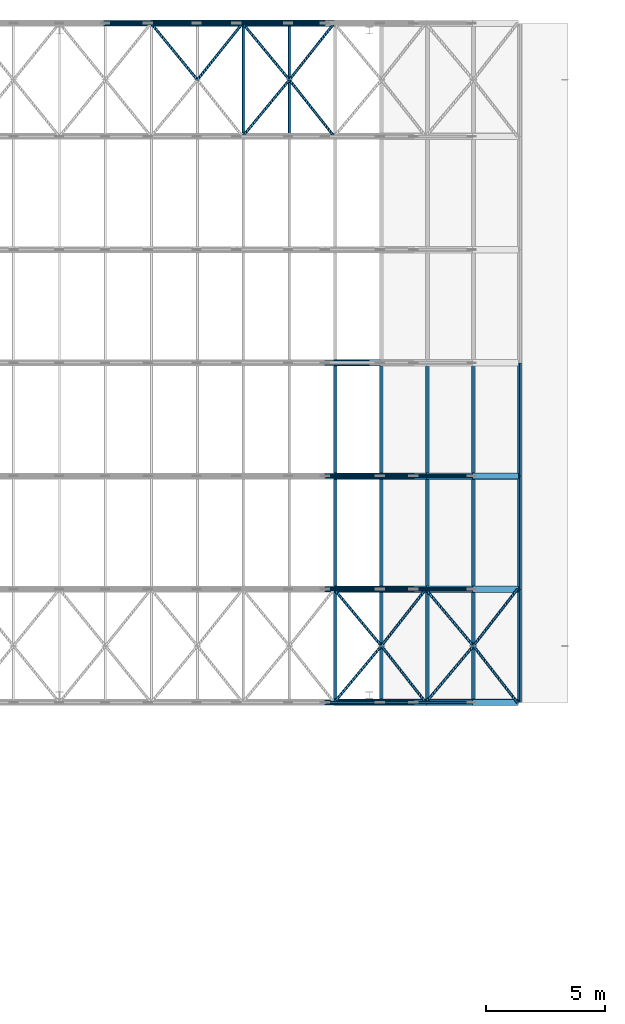
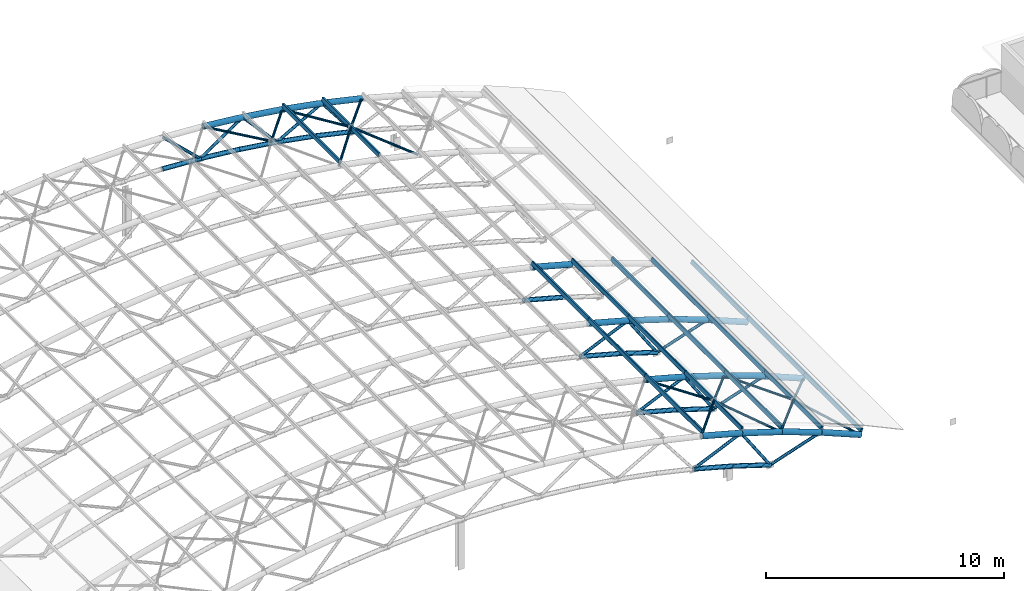
# One storey, part 7 of 22: 74 members.
"""IFC4 building model written with IfcOpenShell, lengths in metres."""

from ifc_helpers import new_model, si_unit, direction, frame, origin, origin_2d, place, context, subcontext, project, spatial, hollow_rectangle, hollow_circle, extrude, material, material_profile, profile_set, type_object, element, save


model = new_model("IFC4")

# Units and contexts
model_context = context("Model", 3, precision=1e-05, world=origin(), true_north=direction((0.0, 1.0)))
body_context = subcontext(model_context, "Body", "Model", "MODEL_VIEW")
ifc_project = project(units=[si_unit("LENGTHUNIT", "METRE"), si_unit("AREAUNIT", "SQUARE_METRE"), si_unit("VOLUMEUNIT", "CUBIC_METRE"), si_unit("PLANEANGLEUNIT", "RADIAN"), si_unit("MASSUNIT", "GRAM", prefix="KILO")], contexts=[model_context])

# Site, building, storey
site_placement = place(None, origin())
site = spatial("IfcSite", under=ifc_project, at=site_placement, CompositionType="ELEMENT")
building_placement = place(site_placement, origin())
building = spatial("IfcBuilding", under=site, at=building_placement, Name="Elbe Cascade School", CompositionType="ELEMENT")
storey_placement = place(building_placement, frame((0.0, 0.0, 18.89990234375)))
storey = spatial("IfcBuildingStorey", under=building, at=storey_placement, Name="R05", CompositionType="ELEMENT", Elevation=18.89990234375)

# Members
ifc_material_1 = material(Name="Steel S355J2H", Category="steel")
ifc_material_profile_1 = material_profile(ifc_material_1, hollow_circle(Radius=0.109619140625, WallThickness=0.012451171875, at=origin_2d()), Name="CHS 219.1x12.5")
ifc_profile_set_1 = profile_set([ifc_material_profile_1], Name="Steel S355J2H")
member_type_1 = type_object("IfcMemberType", Name="Hall rib bottom chord CHS 219.1x12.5", PredefinedType="CHORD", material=ifc_profile_set_1)
member_1_placement = place(storey_placement, frame((45.142822265625, 41.0, 1.329833984375), z_axis=(0.965329694666, 0.0, -0.26103367713), x_axis=(0.0, 1.0, 0.0)))
element("IfcMember", 1, at=member_1_placement, inside=storey, type_object=member_type_1, Name="Hall rib bottom chord CHS 219.1x12.5 M3", PredefinedType="CHORD", context=body_context, shape_type="SweptSolid", body=[
    extrude(hollow_circle(Radius=0.109619140625, WallThickness=0.012451171875, at=origin_2d()), origin(), (0.0, 0.0, 1.0), 1.923828125),
])
member_2_placement = place(storey_placement, frame((47.0, 41.0, 0.82763671875), z_axis=(0.953554243511, 0.0, -0.301221354957), x_axis=(0.0, 1.0, 0.0)))
element("IfcMember", 2, at=member_2_placement, inside=storey, type_object=member_type_1, Name="Hall rib bottom chord CHS 219.1x12.5 M3", PredefinedType="CHORD", context=body_context, shape_type="SweptSolid", body=[
    extrude(hollow_circle(Radius=0.109619140625, WallThickness=0.012451171875, at=origin_2d()), origin(), (0.0, 0.0, 1.0), 1.94775390625),
])
member_3_placement = place(storey_placement, frame((45.142822265625, 45.75, 1.329833984375), z_axis=(0.965329694666, 0.0, -0.26103367713), x_axis=(0.0, 1.0, 0.0)))
element("IfcMember", 3, at=member_3_placement, inside=storey, type_object=member_type_1, Name="Hall rib bottom chord CHS 219.1x12.5 M3", PredefinedType="CHORD", context=body_context, shape_type="SweptSolid", body=[
    extrude(hollow_circle(Radius=0.109619140625, WallThickness=0.012451171875, at=origin_2d()), origin(), (0.0, 0.0, 1.0), 1.923828125),
])
member_4_placement = place(storey_placement, frame((47.0, 45.75, 0.82763671875), z_axis=(0.953554243511, 0.0, -0.301221354957), x_axis=(0.0, 1.0, 0.0)))
element("IfcMember", 4, at=member_4_placement, inside=storey, type_object=member_type_1, Name="Hall rib bottom chord CHS 219.1x12.5 M3", PredefinedType="CHORD", context=body_context, shape_type="SweptSolid", body=[
    extrude(hollow_circle(Radius=0.109619140625, WallThickness=0.012451171875, at=origin_2d()), origin(), (0.0, 0.0, 1.0), 1.94775390625),
])
member_5_placement = place(storey_placement, frame((45.142822265625, 50.5, 1.329833984375), z_axis=(0.965329694666, 0.0, -0.26103367713), x_axis=(0.0, 1.0, 0.0)))
element("IfcMember", 5, at=member_5_placement, inside=storey, type_object=member_type_1, Name="Hall rib bottom chord CHS 219.1x12.5 M3", PredefinedType="CHORD", context=body_context, shape_type="SweptSolid", body=[
    extrude(hollow_circle(Radius=0.109619140625, WallThickness=0.012451171875, at=origin_2d()), origin(), (0.0, 0.0, 1.0), 1.923828125),
])
member_6_placement = place(storey_placement, frame((47.0, 50.5, 0.82763671875), z_axis=(0.953554243511, 0.0, -0.301221354957), x_axis=(0.0, 1.0, 0.0)))
element("IfcMember", 6, at=member_6_placement, inside=storey, type_object=member_type_1, Name="Hall rib bottom chord CHS 219.1x12.5 M3", PredefinedType="CHORD", context=body_context, shape_type="SweptSolid", body=[
    extrude(hollow_circle(Radius=0.109619140625, WallThickness=0.012451171875, at=origin_2d()), origin(), (0.0, 0.0, 1.0), 1.94775390625),
])
member_7_placement = place(storey_placement, frame((45.142822265625, 55.25, 1.329833984375), z_axis=(0.965329694666, 0.0, -0.26103367713), x_axis=(0.0, 1.0, 0.0)))
element("IfcMember", 7, at=member_7_placement, inside=storey, type_object=member_type_1, Name="Hall rib bottom chord CHS 219.1x12.5 M3", PredefinedType="CHORD", context=body_context, shape_type="SweptSolid", body=[
    extrude(hollow_circle(Radius=0.109619140625, WallThickness=0.012451171875, at=origin_2d()), origin(), (0.0, 0.0, 1.0), 1.923828125),
])
member_8_placement = place(storey_placement, frame((35.857177734375, 69.5, 2.65478515625), z_axis=(0.998184548597, 0.0, -0.060229618484), x_axis=(0.0, 1.0, 0.0)))
element("IfcMember", 8, at=member_8_placement, inside=storey, type_object=member_type_1, Name="Hall rib bottom chord CHS 219.1x12.5 M3", PredefinedType="CHORD", context=body_context, shape_type="SweptSolid", body=[
    extrude(hollow_circle(Radius=0.109619140625, WallThickness=0.012451171875, at=origin_2d()), origin(), (0.0, 0.0, 1.0), 1.860595703125),
])
member_9_placement = place(storey_placement, frame((37.71435546875, 69.5, 2.542724609375), z_axis=(0.994942207611, 0.0, -0.100449009523), x_axis=(0.0, 1.0, 0.0)))
element("IfcMember", 9, at=member_9_placement, inside=storey, type_object=member_type_1, Name="Hall rib bottom chord CHS 219.1x12.5 M3", PredefinedType="CHORD", context=body_context, shape_type="SweptSolid", body=[
    extrude(hollow_circle(Radius=0.109619140625, WallThickness=0.012451171875, at=origin_2d()), origin(), (0.0, 0.0, 1.0), 1.86669921875),
])
member_10_placement = place(storey_placement, frame((39.571533203125, 69.5, 2.355224609375), z_axis=(0.990068894629, 0.0, -0.140583014225), x_axis=(0.0, 1.0, 0.0)))
element("IfcMember", 10, at=member_10_placement, inside=storey, type_object=member_type_1, Name="Hall rib bottom chord CHS 219.1x12.5 M3", PredefinedType="CHORD", context=body_context, shape_type="SweptSolid", body=[
    extrude(hollow_circle(Radius=0.109619140625, WallThickness=0.012451171875, at=origin_2d()), origin(), (0.0, 0.0, 1.0), 1.87548828125),
])
member_11_placement = place(storey_placement, frame((41.428466796875, 69.5, 2.091552734375), z_axis=(0.9835518543, 0.0, -0.180625994539), x_axis=(0.0, 1.0, 0.0)))
element("IfcMember", 11, at=member_11_placement, inside=storey, type_object=member_type_1, Name="Hall rib bottom chord CHS 219.1x12.5 M3", PredefinedType="CHORD", context=body_context, shape_type="SweptSolid", body=[
    extrude(hollow_circle(Radius=0.109619140625, WallThickness=0.012451171875, at=origin_2d()), origin(), (0.0, 0.0, 1.0), 1.88818359375),
])
member_12_placement = place(storey_placement, frame((43.28564453125, 69.5, 1.75048828125), z_axis=(0.975295060536, 0.0, -0.220906190259), x_axis=(0.0, 1.0, 0.0)))
element("IfcMember", 12, at=member_12_placement, inside=storey, type_object=member_type_1, Name="Hall rib bottom chord CHS 219.1x12.5 M3", PredefinedType="CHORD", context=body_context, shape_type="SweptSolid", body=[
    extrude(hollow_circle(Radius=0.109619140625, WallThickness=0.012451171875, at=origin_2d()), origin(), (0.0, 0.0, 1.0), 1.904296875),
])
ifc_material_2 = material(Name="Steel S355J2H", Category="steel")
ifc_material_profile_2 = material_profile(ifc_material_2, hollow_circle(Radius=0.136474609375, WallThickness=0.012451171875, at=origin_2d()), Name="CHS 273x12.5")
ifc_profile_set_2 = profile_set([ifc_material_profile_2], Name="Steel S355J2H")
member_type_2 = type_object("IfcMemberType", Name="Hall rib top chord CHS 273x12.5", PredefinedType="CHORD", material=ifc_profile_set_2)
member_13_placement = place(storey_placement, frame((45.5283203125, 41.0, 2.882568359375), z_axis=(0.965333327016, 0.0, -0.26102024395), x_axis=(0.0, 1.0, 0.0)))
element("IfcMember", 13, at=member_13_placement, inside=storey, type_object=member_type_2, Name="Hall rib top chord CHS 273x12.5 M2", PredefinedType="CHORD", context=body_context, shape_type="SweptSolid", body=[
    extrude(hollow_circle(Radius=0.136474609375, WallThickness=0.012451171875, at=origin_2d()), origin(), (0.0, 0.0, 1.0), 1.990478515625),
])
member_14_placement = place(storey_placement, frame((47.44970703125, 41.0, 2.363037109375), z_axis=(0.953557025061, 0.0, -0.301212549467), x_axis=(0.0, 1.0, 0.0)))
element("IfcMember", 14, at=member_14_placement, inside=storey, type_object=member_type_2, Name="Hall rib top chord CHS 273x12.5 M2", PredefinedType="CHORD", context=body_context, shape_type="SweptSolid", body=[
    extrude(hollow_circle(Radius=0.136474609375, WallThickness=0.012451171875, at=origin_2d()), origin(), (0.0, 0.0, 1.0), 2.014892578125),
])
member_15_placement = place(storey_placement, frame((49.37109375, 41.0, 1.756103515625), z_axis=(0.939901472249, 0.0, -0.341445782612), x_axis=(0.0, 1.0, 0.0)))
element("IfcMember", 15, at=member_15_placement, inside=storey, type_object=member_type_2, Name="Hall rib top chord CHS 273x12.5 M2", PredefinedType="CHORD", context=body_context, shape_type="SweptSolid", body=[
    extrude(hollow_circle(Radius=0.136474609375, WallThickness=0.012451171875, at=origin_2d()), origin(), (0.0, 0.0, 1.0), 2.044189453125),
])
member_16_placement = place(storey_placement, frame((51.29248046875, 41.0, 1.05810546875), z_axis=(0.924371303733, 0.0, -0.381494027259), x_axis=(0.0, 1.0, 0.0)))
element("IfcMember", 16, at=member_16_placement, inside=storey, type_object=member_type_2, Name="Hall rib top chord CHS 273x12.5 M2", PredefinedType="CHORD", context=body_context, shape_type="SweptSolid", body=[
    extrude(hollow_circle(Radius=0.136474609375, WallThickness=0.012451171875, at=origin_2d()), origin(), (0.0, 0.0, 1.0), 2.07861328125),
])
member_17_placement = place(storey_placement, frame((45.5283203125, 45.75, 2.882568359375), z_axis=(0.965333327016, 0.0, -0.26102024395), x_axis=(0.0, 1.0, 0.0)))
element("IfcMember", 17, at=member_17_placement, inside=storey, type_object=member_type_2, Name="Hall rib top chord CHS 273x12.5 M2", PredefinedType="CHORD", context=body_context, shape_type="SweptSolid", body=[
    extrude(hollow_circle(Radius=0.136474609375, WallThickness=0.012451171875, at=origin_2d()), origin(), (0.0, 0.0, 1.0), 1.990478515625),
])
member_18_placement = place(storey_placement, frame((47.44970703125, 45.75, 2.363037109375), z_axis=(0.953557025061, 0.0, -0.301212549467), x_axis=(0.0, 1.0, 0.0)))
element("IfcMember", 18, at=member_18_placement, inside=storey, type_object=member_type_2, Name="Hall rib top chord CHS 273x12.5 M2", PredefinedType="CHORD", context=body_context, shape_type="SweptSolid", body=[
    extrude(hollow_circle(Radius=0.136474609375, WallThickness=0.012451171875, at=origin_2d()), origin(), (0.0, 0.0, 1.0), 2.014892578125),
])
member_19_placement = place(storey_placement, frame((49.37109375, 45.75, 1.756103515625), z_axis=(0.939901472249, 0.0, -0.341445782612), x_axis=(0.0, 1.0, 0.0)))
element("IfcMember", 19, at=member_19_placement, inside=storey, type_object=member_type_2, Name="Hall rib top chord CHS 273x12.5 M2", PredefinedType="CHORD", context=body_context, shape_type="SweptSolid", body=[
    extrude(hollow_circle(Radius=0.136474609375, WallThickness=0.012451171875, at=origin_2d()), origin(), (0.0, 0.0, 1.0), 2.044189453125),
])
member_20_placement = place(storey_placement, frame((51.29248046875, 45.75, 1.05810546875), z_axis=(0.924371303733, 0.0, -0.381494027259), x_axis=(0.0, 1.0, 0.0)))
element("IfcMember", 20, at=member_20_placement, inside=storey, type_object=member_type_2, Name="Hall rib top chord CHS 273x12.5 M2", PredefinedType="CHORD", context=body_context, shape_type="SweptSolid", body=[
    extrude(hollow_circle(Radius=0.136474609375, WallThickness=0.012451171875, at=origin_2d()), origin(), (0.0, 0.0, 1.0), 2.07861328125),
])
member_21_placement = place(storey_placement, frame((45.5283203125, 50.5, 2.882568359375), z_axis=(0.965333327016, 0.0, -0.26102024395), x_axis=(0.0, 1.0, 0.0)))
element("IfcMember", 21, at=member_21_placement, inside=storey, type_object=member_type_2, Name="Hall rib top chord CHS 273x12.5 M2", PredefinedType="CHORD", context=body_context, shape_type="SweptSolid", body=[
    extrude(hollow_circle(Radius=0.136474609375, WallThickness=0.012451171875, at=origin_2d()), origin(), (0.0, 0.0, 1.0), 1.990478515625),
])
member_22_placement = place(storey_placement, frame((47.44970703125, 50.5, 2.363037109375), z_axis=(0.953557025061, 0.0, -0.301212549467), x_axis=(0.0, 1.0, 0.0)))
element("IfcMember", 22, at=member_22_placement, inside=storey, type_object=member_type_2, Name="Hall rib top chord CHS 273x12.5 M2", PredefinedType="CHORD", context=body_context, shape_type="SweptSolid", body=[
    extrude(hollow_circle(Radius=0.136474609375, WallThickness=0.012451171875, at=origin_2d()), origin(), (0.0, 0.0, 1.0), 2.014892578125),
])
member_23_placement = place(storey_placement, frame((49.37109375, 50.5, 1.756103515625), z_axis=(0.939901472249, 0.0, -0.341445782612), x_axis=(0.0, 1.0, 0.0)))
element("IfcMember", 23, at=member_23_placement, inside=storey, type_object=member_type_2, Name="Hall rib top chord CHS 273x12.5 M2", PredefinedType="CHORD", context=body_context, shape_type="SweptSolid", body=[
    extrude(hollow_circle(Radius=0.136474609375, WallThickness=0.012451171875, at=origin_2d()), origin(), (0.0, 0.0, 1.0), 2.044189453125),
])
member_24_placement = place(storey_placement, frame((51.29248046875, 50.5, 1.05810546875), z_axis=(0.924371303733, 0.0, -0.381494027259), x_axis=(0.0, 1.0, 0.0)))
element("IfcMember", 24, at=member_24_placement, inside=storey, type_object=member_type_2, Name="Hall rib top chord CHS 273x12.5 M2", PredefinedType="CHORD", context=body_context, shape_type="SweptSolid", body=[
    extrude(hollow_circle(Radius=0.136474609375, WallThickness=0.012451171875, at=origin_2d()), origin(), (0.0, 0.0, 1.0), 2.07861328125),
])
member_25_placement = place(storey_placement, frame((45.5283203125, 55.25, 2.882568359375), z_axis=(0.965333327016, 0.0, -0.26102024395), x_axis=(0.0, 1.0, 0.0)))
element("IfcMember", 25, at=member_25_placement, inside=storey, type_object=member_type_2, Name="Hall rib top chord CHS 273x12.5 M2", PredefinedType="CHORD", context=body_context, shape_type="SweptSolid", body=[
    extrude(hollow_circle(Radius=0.136474609375, WallThickness=0.012451171875, at=origin_2d()), origin(), (0.0, 0.0, 1.0), 1.990478515625),
])
member_26_placement = place(storey_placement, frame((37.8427734375, 69.5, 4.1376953125), z_axis=(0.994936550575, 0.0, -0.100505026392), x_axis=(0.0, 1.0, 0.0)))
element("IfcMember", 26, at=member_26_placement, inside=storey, type_object=member_type_2, Name="Hall rib top chord CHS 273x12.5 M2", PredefinedType="CHORD", context=body_context, shape_type="SweptSolid", body=[
    extrude(hollow_circle(Radius=0.136474609375, WallThickness=0.012451171875, at=origin_2d()), origin(), (0.0, 0.0, 1.0), 1.93115234375),
])
member_27_placement = place(storey_placement, frame((39.76416015625, 69.5, 3.943603515625), z_axis=(0.990077406218, 0.0, -0.140523057528), x_axis=(0.0, 1.0, 0.0)))
element("IfcMember", 27, at=member_27_placement, inside=storey, type_object=member_type_2, Name="Hall rib top chord CHS 273x12.5 M2", PredefinedType="CHORD", context=body_context, shape_type="SweptSolid", body=[
    extrude(hollow_circle(Radius=0.136474609375, WallThickness=0.012451171875, at=origin_2d()), origin(), (0.0, 0.0, 1.0), 1.940673828125),
])
member_28_placement = place(storey_placement, frame((41.685546875, 69.5, 3.6708984375), z_axis=(0.983536288489, 0.0, -0.180710733565), x_axis=(0.0, 1.0, 0.0)))
element("IfcMember", 28, at=member_28_placement, inside=storey, type_object=member_type_2, Name="Hall rib top chord CHS 273x12.5 M2", PredefinedType="CHORD", context=body_context, shape_type="SweptSolid", body=[
    extrude(hollow_circle(Radius=0.136474609375, WallThickness=0.012451171875, at=origin_2d()), origin(), (0.0, 0.0, 1.0), 1.95361328125),
])
member_29_placement = place(storey_placement, frame((43.60693359375, 69.5, 3.31787109375), z_axis=(0.975283578549, 0.0, -0.220956876817), x_axis=(0.0, 1.0, 0.0)))
element("IfcMember", 29, at=member_29_placement, inside=storey, type_object=member_type_2, Name="Hall rib top chord CHS 273x12.5 M2", PredefinedType="CHORD", context=body_context, shape_type="SweptSolid", body=[
    extrude(hollow_circle(Radius=0.136474609375, WallThickness=0.012451171875, at=origin_2d()), origin(), (0.0, 0.0, 1.0), 1.969970703125),
])
ifc_material_3 = material(Name="Steel S355J2H", Category="steel")
ifc_material_profile_3 = material_profile(ifc_material_3, hollow_circle(Radius=0.06982421875, WallThickness=0.008056640625, at=origin_2d()), Name="CHS 139.7x8")
ifc_profile_set_3 = profile_set([ifc_material_profile_3], Name="Steel S355J2H")
member_type_3 = type_object("IfcMemberType", Name="Hall rib web CHS 139.7x8", PredefinedType="BRACE", material=ifc_profile_set_3)
member_30_placement = place(storey_placement, frame((45.142822265625, 41.0, 1.329833984375), z_axis=(0.91264478228, 0.0, 0.408753594942), x_axis=(0.0, 1.0, 0.0)))
element("IfcMember", 30, at=member_30_placement, inside=storey, type_object=member_type_3, Name="Hall rib web CHS 139.7x8 M4", PredefinedType="BRACE", context=body_context, shape_type="SweptSolid", body=[
    extrude(hollow_circle(Radius=0.06982421875, WallThickness=0.008056640625, at=origin_2d()), origin(), (0.0, 0.0, 1.0), 2.527587890625),
])
member_31_placement = place(storey_placement, frame((47.44970703125, 41.0, 2.363037109375), z_axis=(0.552729481787, 0.0, -0.833360738194), x_axis=(0.0, 1.0, 0.0)))
element("IfcMember", 31, at=member_31_placement, inside=storey, type_object=member_type_3, Name="Hall rib web CHS 139.7x8 M4", PredefinedType="BRACE", context=body_context, shape_type="SweptSolid", body=[
    extrude(hollow_circle(Radius=0.06982421875, WallThickness=0.008056640625, at=origin_2d()), origin(), (0.0, 0.0, 1.0), 2.54638671875),
])
member_32_placement = place(storey_placement, frame((48.857177734375, 41.0, 0.240966796875), z_axis=(0.948054147637, 0.0, 0.318108995704), x_axis=(0.0, 1.0, 0.0)))
element("IfcMember", 32, at=member_32_placement, inside=storey, type_object=member_type_3, Name="Hall rib web CHS 139.7x8 M4", PredefinedType="BRACE", context=body_context, shape_type="SweptSolid", body=[
    extrude(hollow_circle(Radius=0.06982421875, WallThickness=0.008056640625, at=origin_2d()), origin(), (0.0, 0.0, 1.0), 2.56884765625),
])
member_33_placement = place(storey_placement, frame((45.142822265625, 45.75, 1.329833984375), z_axis=(0.91264478228, 0.0, 0.408753594942), x_axis=(0.0, 1.0, 0.0)))
element("IfcMember", 33, at=member_33_placement, inside=storey, type_object=member_type_3, Name="Hall rib web CHS 139.7x8 M4", PredefinedType="BRACE", context=body_context, shape_type="SweptSolid", body=[
    extrude(hollow_circle(Radius=0.06982421875, WallThickness=0.008056640625, at=origin_2d()), origin(), (0.0, 0.0, 1.0), 2.527587890625),
])
member_34_placement = place(storey_placement, frame((47.44970703125, 45.75, 2.363037109375), z_axis=(0.552729481787, 0.0, -0.833360738194), x_axis=(0.0, 1.0, 0.0)))
element("IfcMember", 34, at=member_34_placement, inside=storey, type_object=member_type_3, Name="Hall rib web CHS 139.7x8 M4", PredefinedType="BRACE", context=body_context, shape_type="SweptSolid", body=[
    extrude(hollow_circle(Radius=0.06982421875, WallThickness=0.008056640625, at=origin_2d()), origin(), (0.0, 0.0, 1.0), 2.54638671875),
])
member_35_placement = place(storey_placement, frame((48.857177734375, 45.75, 0.240966796875), z_axis=(0.948054147637, 0.0, 0.318108995704), x_axis=(0.0, 1.0, 0.0)))
element("IfcMember", 35, at=member_35_placement, inside=storey, type_object=member_type_3, Name="Hall rib web CHS 139.7x8 M4", PredefinedType="BRACE", context=body_context, shape_type="SweptSolid", body=[
    extrude(hollow_circle(Radius=0.06982421875, WallThickness=0.008056640625, at=origin_2d()), origin(), (0.0, 0.0, 1.0), 2.56884765625),
])
member_36_placement = place(storey_placement, frame((45.142822265625, 50.5, 1.329833984375), z_axis=(0.91264478228, 0.0, 0.408753594942), x_axis=(0.0, 1.0, 0.0)))
element("IfcMember", 36, at=member_36_placement, inside=storey, type_object=member_type_3, Name="Hall rib web CHS 139.7x8 M4", PredefinedType="BRACE", context=body_context, shape_type="SweptSolid", body=[
    extrude(hollow_circle(Radius=0.06982421875, WallThickness=0.008056640625, at=origin_2d()), origin(), (0.0, 0.0, 1.0), 2.527587890625),
])
member_37_placement = place(storey_placement, frame((47.44970703125, 50.5, 2.363037109375), z_axis=(0.552729481787, 0.0, -0.833360738194), x_axis=(0.0, 1.0, 0.0)))
element("IfcMember", 37, at=member_37_placement, inside=storey, type_object=member_type_3, Name="Hall rib web CHS 139.7x8 M4", PredefinedType="BRACE", context=body_context, shape_type="SweptSolid", body=[
    extrude(hollow_circle(Radius=0.06982421875, WallThickness=0.008056640625, at=origin_2d()), origin(), (0.0, 0.0, 1.0), 2.54638671875),
])
member_38_placement = place(storey_placement, frame((48.857177734375, 50.5, 0.240966796875), z_axis=(0.948054147637, 0.0, 0.318108995704), x_axis=(0.0, 1.0, 0.0)))
element("IfcMember", 38, at=member_38_placement, inside=storey, type_object=member_type_3, Name="Hall rib web CHS 139.7x8 M4", PredefinedType="BRACE", context=body_context, shape_type="SweptSolid", body=[
    extrude(hollow_circle(Radius=0.06982421875, WallThickness=0.008056640625, at=origin_2d()), origin(), (0.0, 0.0, 1.0), 2.56884765625),
])
member_39_placement = place(storey_placement, frame((35.92138671875, 69.5, 4.253662109375), z_axis=(0.723462885485, 0.0, -0.690363276345), x_axis=(0.0, 1.0, 0.0)))
element("IfcMember", 39, at=member_39_placement, inside=storey, type_object=member_type_3, Name="Hall rib web CHS 139.7x8 M4", PredefinedType="BRACE", context=body_context, shape_type="SweptSolid", body=[
    extrude(hollow_circle(Radius=0.06982421875, WallThickness=0.008056640625, at=origin_2d()), origin(), (0.0, 0.0, 1.0), 2.478271484375),
])
member_40_placement = place(storey_placement, frame((37.71435546875, 69.5, 2.542724609375), z_axis=(0.825611048999, 0.0, 0.564239661643), x_axis=(0.0, 1.0, 0.0)))
element("IfcMember", 40, at=member_40_placement, inside=storey, type_object=member_type_3, Name="Hall rib web CHS 139.7x8 M4", PredefinedType="BRACE", context=body_context, shape_type="SweptSolid", body=[
    extrude(hollow_circle(Radius=0.06982421875, WallThickness=0.008056640625, at=origin_2d()), origin(), (0.0, 0.0, 1.0), 2.482666015625),
])
member_41_placement = place(storey_placement, frame((39.76416015625, 69.5, 3.943603515625), z_axis=(0.668401163046, 0.0, -0.743800971523), x_axis=(0.0, 1.0, 0.0)))
element("IfcMember", 41, at=member_41_placement, inside=storey, type_object=member_type_3, Name="Hall rib web CHS 139.7x8 M4", PredefinedType="BRACE", context=body_context, shape_type="SweptSolid", body=[
    extrude(hollow_circle(Radius=0.06982421875, WallThickness=0.008056640625, at=origin_2d()), origin(), (0.0, 0.0, 1.0), 2.489990234375),
])
member_42_placement = place(storey_placement, frame((41.428466796875, 69.5, 2.091552734375), z_axis=(0.871416395959, 0.0, 0.49054404986), x_axis=(0.0, 1.0, 0.0)))
element("IfcMember", 42, at=member_42_placement, inside=storey, type_object=member_type_3, Name="Hall rib web CHS 139.7x8 M4", PredefinedType="BRACE", context=body_context, shape_type="SweptSolid", body=[
    extrude(hollow_circle(Radius=0.06982421875, WallThickness=0.008056640625, at=origin_2d()), origin(), (0.0, 0.0, 1.0), 2.5),
])
member_43_placement = place(storey_placement, frame((43.60693359375, 69.5, 3.31787109375), z_axis=(0.611367288824, 0.0, -0.791346977094), x_axis=(0.0, 1.0, 0.0)))
element("IfcMember", 43, at=member_43_placement, inside=storey, type_object=member_type_3, Name="Hall rib web CHS 139.7x8 M4", PredefinedType="BRACE", context=body_context, shape_type="SweptSolid", body=[
    extrude(hollow_circle(Radius=0.06982421875, WallThickness=0.008056640625, at=origin_2d()), origin(), (0.0, 0.0, 1.0), 2.51220703125),
])
ifc_material_4 = material(Name="Steel S355J2H", Category="steel")
ifc_material_profile_4 = material_profile(ifc_material_4, hollow_circle(Radius=0.05712890625, WallThickness=0.00634765625, at=origin_2d()), Name="CHS 114.3x6.3")
ifc_profile_set_4 = profile_set([ifc_material_profile_4], Name="Steel S355J2H")
member_type_4 = type_object("IfcMemberType", Name="Hall roof bracing CHS 114.3x6.3", PredefinedType="BRACE", material=ifc_profile_set_4)
member_44_placement = place(storey_placement, frame((47.5078125, 43.375, 2.561279296875), z_axis=(-0.636817309596, -0.764055104557, 0.103361072944), x_axis=(0.768169496893, -0.6402465338, 0.0)))
element("IfcMember", 44, at=member_44_placement, inside=storey, type_object=member_type_4, Name="Hall roof bracing CHS 114.3x6.3 M9", PredefinedType="BRACE", context=body_context, shape_type="SweptSolid", body=[
    extrude(hollow_circle(Radius=0.05712890625, WallThickness=0.00634765625, at=origin_2d()), origin(), (0.0, 0.0, 1.0), 3.1083984375),
])
member_45_placement = place(storey_placement, frame((47.5078125, 43.375, 2.561279296875), z_axis=(0.596398878053, 0.760189764898, -0.257720584358), x_axis=(-0.786767161878, 0.617249895092, 0.0)))
element("IfcMember", 45, at=member_45_placement, inside=storey, type_object=member_type_4, Name="Hall roof bracing CHS 114.3x6.3 M9", PredefinedType="BRACE", context=body_context, shape_type="SweptSolid", body=[
    extrude(hollow_circle(Radius=0.05712890625, WallThickness=0.00634765625, at=origin_2d()), origin(), (0.0, 0.0, 1.0), 3.124267578125),
])
member_46_placement = place(storey_placement, frame((47.5078125, 43.375, 2.561279296875), z_axis=(-0.636817309596, 0.764055104557, 0.103361072944), x_axis=(-0.768169496893, -0.6402465338, 0.0)))
element("IfcMember", 46, at=member_46_placement, inside=storey, type_object=member_type_4, Name="Hall roof bracing CHS 114.3x6.3 M9", PredefinedType="BRACE", context=body_context, shape_type="SweptSolid", body=[
    extrude(hollow_circle(Radius=0.05712890625, WallThickness=0.00634765625, at=origin_2d()), origin(), (0.0, 0.0, 1.0), 3.1083984375),
])
member_47_placement = place(storey_placement, frame((47.5078125, 43.375, 2.561279296875), z_axis=(0.596398878053, -0.760189764898, -0.257720584358), x_axis=(0.786767161878, 0.617249895092, 0.0)))
element("IfcMember", 47, at=member_47_placement, inside=storey, type_object=member_type_4, Name="Hall roof bracing CHS 114.3x6.3 M9", PredefinedType="BRACE", context=body_context, shape_type="SweptSolid", body=[
    extrude(hollow_circle(Radius=0.05712890625, WallThickness=0.00634765625, at=origin_2d()), origin(), (0.0, 0.0, 1.0), 3.124267578125),
])
member_48_placement = place(storey_placement, frame((51.3671875, 43.375, 1.250732421875), z_axis=(-0.635028676085, -0.75557227996, 0.160776585066), x_axis=(0.765531209015, -0.64339876284, 0.0)))
element("IfcMember", 48, at=member_48_placement, inside=storey, type_object=member_type_4, Name="Hall roof bracing CHS 114.3x6.3 M9", PredefinedType="BRACE", context=body_context, shape_type="SweptSolid", body=[
    extrude(hollow_circle(Radius=0.05712890625, WallThickness=0.00634765625, at=origin_2d()), origin(), (0.0, 0.0, 1.0), 3.143310546875),
])
member_49_placement = place(storey_placement, frame((51.3671875, 43.375, 1.250732421875), z_axis=(0.583322813116, 0.750206812003, -0.311326572785), x_axis=(-0.78943960306, 0.613828243991, 0.0)))
element("IfcMember", 49, at=member_49_placement, inside=storey, type_object=member_type_4, Name="Hall roof bracing CHS 114.3x6.3 M9", PredefinedType="BRACE", context=body_context, shape_type="SweptSolid", body=[
    extrude(hollow_circle(Radius=0.05712890625, WallThickness=0.00634765625, at=origin_2d()), origin(), (0.0, 0.0, 1.0), 3.165771484375),
])
member_50_placement = place(storey_placement, frame((51.3671875, 43.375, 1.250732421875), z_axis=(-0.635028676085, 0.75557227996, 0.160776585066), x_axis=(-0.765531209015, -0.64339876284, 0.0)))
element("IfcMember", 50, at=member_50_placement, inside=storey, type_object=member_type_4, Name="Hall roof bracing CHS 114.3x6.3 M9", PredefinedType="BRACE", context=body_context, shape_type="SweptSolid", body=[
    extrude(hollow_circle(Radius=0.05712890625, WallThickness=0.00634765625, at=origin_2d()), origin(), (0.0, 0.0, 1.0), 3.143310546875),
])
member_51_placement = place(storey_placement, frame((51.3671875, 43.375, 1.250732421875), z_axis=(0.583322813116, -0.750206812003, -0.311326572785), x_axis=(0.78943960306, 0.613828243991, 0.0)))
element("IfcMember", 51, at=member_51_placement, inside=storey, type_object=member_type_4, Name="Hall roof bracing CHS 114.3x6.3 M9", PredefinedType="BRACE", context=body_context, shape_type="SweptSolid", body=[
    extrude(hollow_circle(Radius=0.05712890625, WallThickness=0.00634765625, at=origin_2d()), origin(), (0.0, 0.0, 1.0), 3.165771484375),
])
member_52_placement = place(storey_placement, frame((39.7890625, 67.125, 4.148681640625), z_axis=(0.616419306396, 0.77195249905, -0.155295131645), x_axis=(-0.781432747539, 0.623989471925, 0.0)))
element("IfcMember", 52, at=member_52_placement, inside=storey, type_object=member_type_4, Name="Hall roof bracing CHS 114.3x6.3 M9", PredefinedType="BRACE", context=body_context, shape_type="SweptSolid", body=[
    extrude(hollow_circle(Radius=0.05712890625, WallThickness=0.00634765625, at=origin_2d()), origin(), (0.0, 0.0, 1.0), 3.07666015625),
])
member_53_placement = place(storey_placement, frame((39.7890625, 67.125, 4.148681640625), z_axis=(-0.633839694881, 0.773456165554, -0.003577870832), x_axis=(-0.77346111617, -0.633843751861, 0.0)))
element("IfcMember", 53, at=member_53_placement, inside=storey, type_object=member_type_4, Name="Hall roof bracing CHS 114.3x6.3 M9", PredefinedType="BRACE", context=body_context, shape_type="SweptSolid", body=[
    extrude(hollow_circle(Radius=0.05712890625, WallThickness=0.00634765625, at=origin_2d()), origin(), (0.0, 0.0, 1.0), 3.070556640625),
])
member_54_placement = place(storey_placement, frame((43.6484375, 67.125, 3.52001953125), z_axis=(-0.636299197607, -0.769890372428, 0.048909565189), x_axis=(0.770812872745, -0.637061625912, 0.0)))
element("IfcMember", 54, at=member_54_placement, inside=storey, type_object=member_type_4, Name="Hall roof bracing CHS 114.3x6.3 M9", PredefinedType="BRACE", context=body_context, shape_type="SweptSolid", body=[
    extrude(hollow_circle(Radius=0.05712890625, WallThickness=0.00634765625, at=origin_2d()), origin(), (0.0, 0.0, 1.0), 3.0849609375),
])
member_55_placement = place(storey_placement, frame((43.6484375, 67.125, 3.52001953125), z_axis=(0.607333140787, 0.767290492672, -0.20594114683), x_axis=(-0.784098122781, 0.620636877612, 0.0)))
element("IfcMember", 55, at=member_55_placement, inside=storey, type_object=member_type_4, Name="Hall roof bracing CHS 114.3x6.3 M9", PredefinedType="BRACE", context=body_context, shape_type="SweptSolid", body=[
    extrude(hollow_circle(Radius=0.05712890625, WallThickness=0.00634765625, at=origin_2d()), origin(), (0.0, 0.0, 1.0), 3.09521484375),
])
member_56_placement = place(storey_placement, frame((43.6484375, 67.125, 3.52001953125), z_axis=(-0.636299197607, 0.769890372428, 0.048909565189), x_axis=(-0.770812872745, -0.637061625912, 0.0)))
element("IfcMember", 56, at=member_56_placement, inside=storey, type_object=member_type_4, Name="Hall roof bracing CHS 114.3x6.3 M9", PredefinedType="BRACE", context=body_context, shape_type="SweptSolid", body=[
    extrude(hollow_circle(Radius=0.05712890625, WallThickness=0.00634765625, at=origin_2d()), origin(), (0.0, 0.0, 1.0), 3.0849609375),
])
member_57_placement = place(storey_placement, frame((43.6484375, 67.125, 3.52001953125), z_axis=(0.607333140787, -0.767290492672, -0.20594114683), x_axis=(0.784098122781, 0.620636877612, 0.0)))
element("IfcMember", 57, at=member_57_placement, inside=storey, type_object=member_type_4, Name="Hall roof bracing CHS 114.3x6.3 M9", PredefinedType="BRACE", context=body_context, shape_type="SweptSolid", body=[
    extrude(hollow_circle(Radius=0.05712890625, WallThickness=0.00634765625, at=origin_2d()), origin(), (0.0, 0.0, 1.0), 3.09521484375),
])
ifc_material_5 = material(Name="Steel S355J2H", Category="steel")
ifc_material_profile_5 = material_profile(ifc_material_5, hollow_rectangle(XDim=0.10009765625, YDim=0.199951171875, WallThickness=0.008056640625, InnerFilletRadius=0.008056640625, OuterFilletRadius=0.011962890625, at=origin_2d()), Name="RHS 200x100x8")
ifc_profile_set_5 = profile_set([ifc_material_profile_5], Name="Steel S355J2H")
member_type_5 = type_object("IfcMemberType", Name="Hall roof purlin RHS 200x100x8", PredefinedType="PURLIN", material=ifc_profile_set_5)
for number, where, z_axis, x_axis, name in (
    (58, (41.71875, 64.75, 3.874755859375), (0.0, 1.0, 0.0), (-0.987016684243, 0.0, 0.160617760615), "Hall roof purlin RHS 200x100x8 M8"),
    (59, (43.6484375, 64.75, 3.52001953125), (0.0, 1.0, 0.0), (-0.979637955265, 0.0, 0.200772200777), "Hall roof purlin RHS 200x100x8 M8"),
    (60, (45.578125, 41.0, 3.0830078125), (0.0, 1.0, 0.0), (-0.970543329116, 0.0, 0.240926640925), "Hall roof purlin RHS 200x100x8 M8"),
    (61, (45.578125, 45.75, 3.0830078125), (0.0, 1.0, 0.0), (-0.970543329116, 0.0, 0.240926640925), "Hall roof purlin RHS 200x100x8 M8"),
    (62, (45.578125, 50.5, 3.0830078125), (0.0, 1.0, 0.0), (-0.970543329116, 0.0, 0.240926640925), "Hall roof purlin RHS 200x100x8 M8"),
    (63, (47.5078125, 41.0, 2.561279296875), (0.0, 1.0, 0.0), (-0.959684023967, 0.0, 0.281081081082), "Hall roof purlin RHS 200x100x8 M8"),
    (64, (47.5078125, 45.75, 2.561279296875), (0.0, 1.0, 0.0), (-0.959684023967, 0.0, 0.281081081082), "Hall roof purlin RHS 200x100x8 M8"),
    (65, (47.5078125, 50.5, 2.561279296875), (0.0, 1.0, 0.0), (-0.959684023967, 0.0, 0.281081081082), "Hall roof purlin RHS 200x100x8 M8"),
    (66, (49.4375, 41.0, 1.95166015625), (0.0, 1.0, 0.0), (-0.946999334689, 0.0, 0.321235521227), "Hall roof purlin RHS 200x100x8 M8"),
    (67, (49.4375, 45.75, 1.95166015625), (0.0, 1.0, 0.0), (-0.946999334689, 0.0, 0.321235521227), "Hall roof purlin RHS 200x100x8 M8"),
    (68, (49.4375, 50.5, 1.95166015625), (0.0, 1.0, 0.0), (-0.946999334689, 0.0, 0.321235521227), "Hall roof purlin RHS 200x100x8 M8"),
    (69, (51.3671875, 41.0, 1.250732421875), (0.0, 1.0, 0.0), (-0.932414765977, 0.0, 0.361389961383), "Hall roof purlin RHS 200x100x8 M8"),
    (70, (51.3671875, 45.75, 1.250732421875), (0.0, 1.0, 0.0), (-0.932414765977, 0.0, 0.361389961383), "Hall roof purlin RHS 200x100x8 M8"),
    (71, (51.3671875, 50.5, 1.250732421875), (0.0, 1.0, 0.0), (-0.932414765977, 0.0, 0.361389961383), "Hall roof purlin RHS 200x100x8 M8"),
    (72, (53.296875, 41.0, 0.4541015625), (0.0, 1.0, 0.0), (-0.915839556683, 0.0, 0.401544401549), "Hall roof purlin RHS 200x100x8 M8"),
    (73, (53.296875, 45.75, 0.4541015625), (0.0, 1.0, 0.0), (-0.915839556683, 0.0, 0.401544401549), "Hall roof purlin RHS 200x100x8 M8"),
    (74, (53.296875, 50.5, 0.4541015625), (0.0, 1.0, 0.0), (-0.915839556683, 0.0, 0.401544401549), "Hall roof purlin RHS 200x100x8 M8"),
):
    element("IfcMember", number, at=place(storey_placement, frame(where, z_axis=z_axis, x_axis=x_axis)), inside=storey, type_object=member_type_5, Name=name, PredefinedType="PURLIN", context=body_context, shape_type="SweptSolid", body=[
        extrude(hollow_rectangle(XDim=0.10009765625, YDim=0.199951171875, WallThickness=0.008056640625, InnerFilletRadius=0.008056640625, OuterFilletRadius=0.011962890625, at=origin_2d()), origin(), (0.0, 0.0, 1.0), 4.75),
    ])

save(model, "model.ifc")
